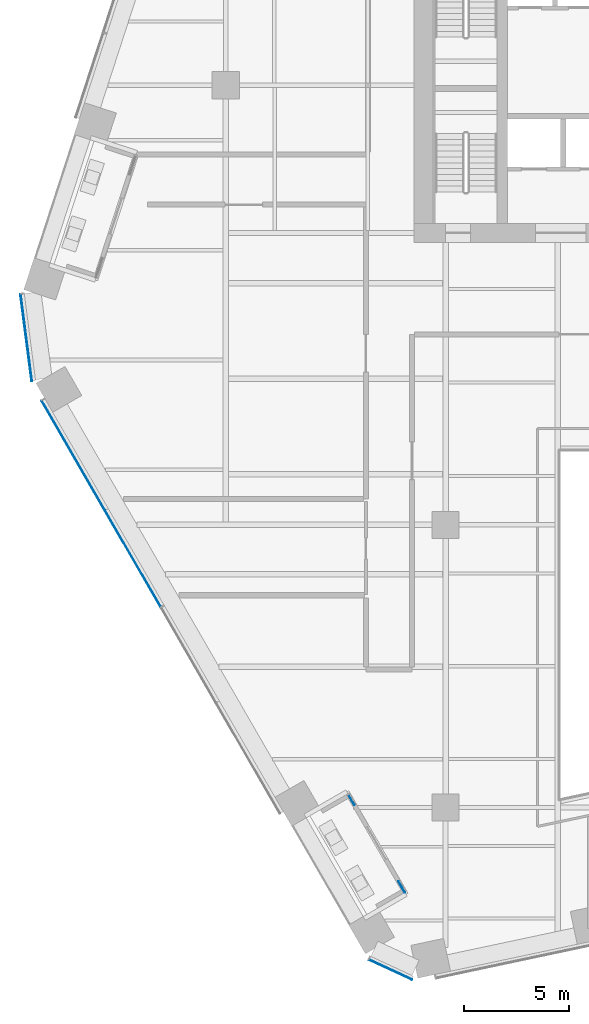
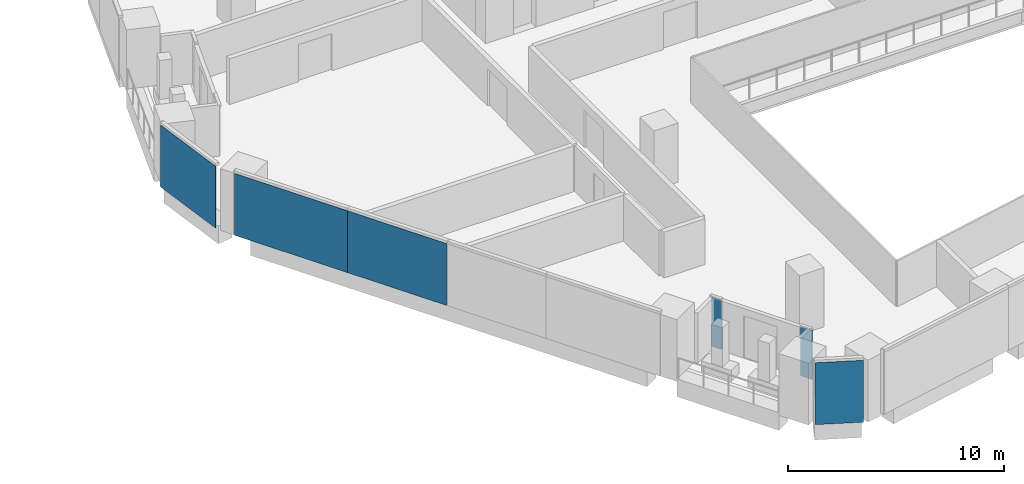
# One storey, part 17 of 31: 6 plates, 4 elements without a shape of their own.
"""IFC4 building model written with IfcOpenShell, lengths in metres."""

from ifc_helpers import new_model, si_unit, direction, frame, origin, origin_2d, place, context, subcontext, project, spatial, rectangle, extrude, material, layer, layer_set, type_object, element, aggregate, save


model = new_model("IFC4")

# Units and contexts
model_context = context("Model", 3, precision=1e-05, world=origin(), true_north=direction((0.0, 1.0)))
body_context = subcontext(model_context, "Body", "Model", "MODEL_VIEW")
ifc_project = project(units=[si_unit("LENGTHUNIT", "METRE"), si_unit("AREAUNIT", "SQUARE_METRE"), si_unit("VOLUMEUNIT", "CUBIC_METRE"), si_unit("PLANEANGLEUNIT", "RADIAN"), si_unit("MASSUNIT", "GRAM", prefix="KILO")], contexts=[model_context])

# Site, building, storey
site_placement = place(None, origin())
site = spatial("IfcSite", under=ifc_project, at=site_placement, CompositionType="ELEMENT")
building_placement = place(site_placement, origin())
building = spatial("IfcBuilding", under=site, at=building_placement, Name="Isthmus Gate Tower", CompositionType="ELEMENT")
storey_placement = place(building_placement, frame((0.0, 0.0, 113.5)))
storey = spatial("IfcBuildingStorey", under=building, at=storey_placement, Name="L27", CompositionType="ELEMENT", Elevation=113.5)

# Curtain wall, plate
ifc_material_1 = material(Name="Aluminium, pale champagne anodised", Category="aluminium")
ifc_layer_1 = layer(ifc_material_1, 0.199951171875)
ifc_layer_set_1 = layer_set([ifc_layer_1], Name="CW-1 UNITISED CURTAIN WALL 200 DEEP")
curtain_wall_type_1 = type_object("IfcCurtainWallType", Name="CW-1 UNITISED CURTAIN WALL 200 DEEP", PredefinedType="NOTDEFINED", material=ifc_layer_set_1)
curtain_wall_1_placement = place(storey_placement, origin())
curtain_wall_1 = element("IfcCurtainWall", 1, at=curtain_wall_1_placement, inside=storey, type_object=curtain_wall_type_1, Name="CW-1 NW-SW L27", PredefinedType="NOTDEFINED")
ifc_material_2 = material(Name="Laminated low-iron glass, pale blue tint", Category="glass")
ifc_layer_2 = layer(ifc_material_2, 0.0400390625)
ifc_layer_set_2 = layer_set([ifc_layer_2], Name="CW-1 CLEAR GLASS LITE 40")
plate_type_1 = type_object("IfcPlateType", Name="CW-1 CLEAR GLASS LITE 40", PredefinedType="CURTAIN_PANEL", material=ifc_layer_set_2)
plate_1_placement = place(storey_placement, frame((-33.5283203125, -4.558349609375, 0.0), z_axis=(0.0, 0.0, 1.0), x_axis=(0.129164534, -0.991623175988, 0.0)))
plate_1 = element("IfcPlate", 2, at=plate_1_placement, type_object=plate_type_1, Name="CW-1 glass lite", PredefinedType="CURTAIN_PANEL", context=body_context, shape_type="SweptSolid", body=[
    extrude(rectangle(XDim=4.181396484375, YDim=0.0400390625, at=origin_2d()), origin(), (0.0, 0.0, 1.0), 3.5),
])
aggregate(curtain_wall_1, [plate_1])

# Curtain wall, plates
curtain_wall_2_placement = place(storey_placement, origin())
curtain_wall_2 = element("IfcCurtainWall", 3, at=curtain_wall_2_placement, inside=storey, type_object=curtain_wall_type_1, Name="CW-1 SW L27", PredefinedType="NOTDEFINED")
plate_2_placement = place(storey_placement, frame((-31.277587890625, -10.185791015625, 0.0), z_axis=(0.0, 0.0, 1.0), x_axis=(0.5, -0.866025403784, 0.0)))
plate_2 = element("IfcPlate", 4, at=plate_2_placement, type_object=plate_type_1, Name="CW-1 glass lite", PredefinedType="CURTAIN_PANEL", context=body_context, shape_type="SweptSolid", body=[
    extrude(rectangle(XDim=6.048583984375, YDim=0.0400390625, at=origin_2d()), origin(), (0.0, 0.0, 1.0), 3.5),
])
plate_3_placement = place(storey_placement, frame((-28.438232421875, -15.103759765625, 0.0), z_axis=(0.0, 0.0, 1.0), x_axis=(0.5, -0.866025403784, 0.0)))
plate_3 = element("IfcPlate", 5, at=plate_3_placement, type_object=plate_type_1, Name="CW-1 glass lite", PredefinedType="CURTAIN_PANEL", context=body_context, shape_type="SweptSolid", body=[
    extrude(rectangle(XDim=5.30859375, YDim=0.0400390625, at=origin_2d()), origin(), (0.0, 0.0, 1.0), 3.5),
])
aggregate(curtain_wall_2, [plate_2, plate_3])

# Curtain wall, plate
curtain_wall_3_placement = place(storey_placement, origin())
curtain_wall_3 = element("IfcCurtainWall", 6, at=curtain_wall_3_placement, inside=storey, type_object=curtain_wall_type_1, Name="CW-1 SW-S L27", PredefinedType="NOTDEFINED")
plate_4_placement = place(storey_placement, frame((-16.1298828125, -34.7451171875, 0.0), z_axis=(0.0, 0.0, 1.0), x_axis=(0.907256261367, -0.420578264073, 0.0)))
plate_4 = element("IfcPlate", 7, at=plate_4_placement, type_object=plate_type_1, Name="CW-1 glass lite", PredefinedType="CURTAIN_PANEL", context=body_context, shape_type="SweptSolid", body=[
    extrude(rectangle(XDim=2.258544921875, YDim=0.0400390625, at=origin_2d()), origin(), (0.0, 0.0, 1.0), 3.5),
])
aggregate(curtain_wall_3, [plate_4])

# Curtain wall, plates
ifc_material_3 = material(Name="Aluminium, pale champagne anodised", Category="aluminium")
ifc_layer_3 = layer(ifc_material_3, 0.14990234375)
ifc_layer_set_3 = layer_set([ifc_layer_3], Name="CW-6 LOGGIA BACK WALL GLAZING 150 DEEP")
curtain_wall_type_2 = type_object("IfcCurtainWallType", Name="CW-6 LOGGIA BACK WALL GLAZING 150 DEEP", PredefinedType="NOTDEFINED", material=ifc_layer_set_3)
curtain_wall_4_placement = place(storey_placement, origin())
curtain_wall_4 = element("IfcCurtainWall", 8, at=curtain_wall_4_placement, inside=storey, type_object=curtain_wall_type_2, Name="CW-6 SW L27", PredefinedType="NOTDEFINED")
ifc_material_4 = material(Name="Laminated low-iron glass, clear", Category="glass")
ifc_layer_4 = layer(ifc_material_4, 0.031982421875)
ifc_layer_set_4 = layer_set([ifc_layer_4], Name="CW-6 CLEAR GLASS LITE 32")
plate_type_2 = type_object("IfcPlateType", Name="CW-6 CLEAR GLASS LITE 32", PredefinedType="CURTAIN_PANEL", material=ifc_layer_set_4)
plate_5_placement = place(storey_placement, frame((-17.991455078125, -26.637939453125, 0.0), z_axis=(0.0, 0.0, 1.0), x_axis=(0.5, -0.866025403784, 0.0)))
plate_5 = element("IfcPlate", 9, at=plate_5_placement, type_object=plate_type_2, Name="CW-6 glass lite", PredefinedType="CURTAIN_PANEL", context=body_context, shape_type="SweptSolid", body=[
    extrude(rectangle(XDim=0.561767578125, YDim=0.031982421875, at=origin_2d()), origin(), (0.0, 0.0, 1.0), 2.780029296875),
])
plate_6_placement = place(storey_placement, frame((-15.595458984375, -30.787841796875, 0.0), z_axis=(0.0, 0.0, 1.0), x_axis=(0.5, -0.866025403784, 0.0)))
plate_6 = element("IfcPlate", 10, at=plate_6_placement, type_object=plate_type_2, Name="CW-6 glass lite", PredefinedType="CURTAIN_PANEL", context=body_context, shape_type="SweptSolid", body=[
    extrude(rectangle(XDim=0.621826171875, YDim=0.031982421875, at=origin_2d()), origin(), (0.0, 0.0, 1.0), 2.780029296875),
])
aggregate(curtain_wall_4, [plate_5, plate_6])

save(model, "model.ifc")
